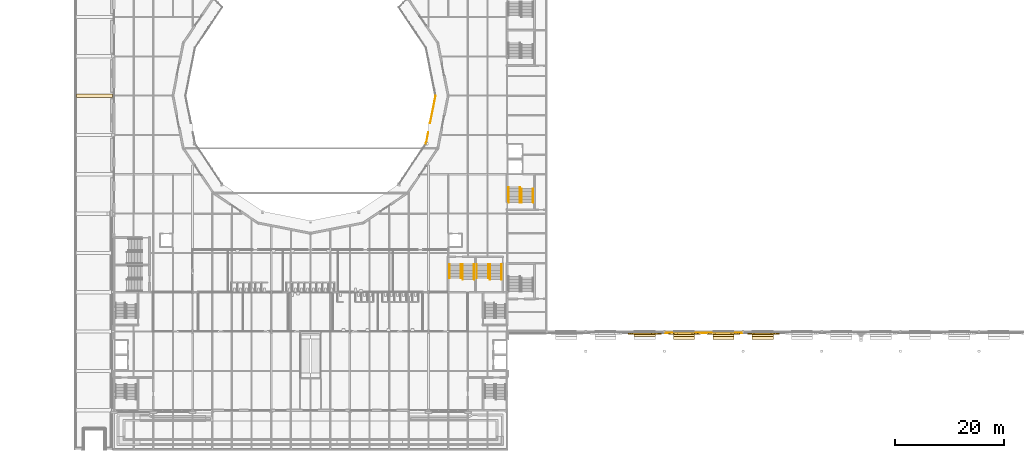
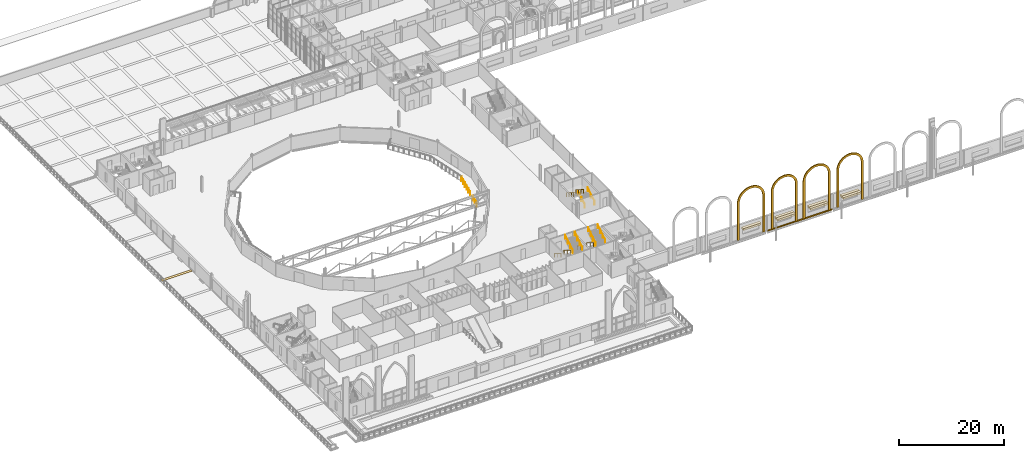
# One storey, part 109 of 143: 14 railings, 13 coverings.
"""IFC4 building model written with IfcOpenShell, lengths in metres."""

from ifc_helpers import new_model, si_unit, direction, frame, origin, origin_2d, place, context, subcontext, project, spatial, polyline, rectangle, circle, outline, extrude, material, layer, layer_set, type_object, element, save


model = new_model("IFC4")

# Units and contexts
model_context = context("Model", 3, precision=1e-05, world=origin(), true_north=direction((0.0, 1.0)))
body_context = subcontext(model_context, "Body", "Model", "MODEL_VIEW")
ifc_project = project(units=[si_unit("LENGTHUNIT", "METRE"), si_unit("AREAUNIT", "SQUARE_METRE"), si_unit("VOLUMEUNIT", "CUBIC_METRE"), si_unit("PLANEANGLEUNIT", "RADIAN"), si_unit("MASSUNIT", "GRAM", prefix="KILO")], contexts=[model_context])

# Site, building, storey
site_placement = place(None, origin())
site = spatial("IfcSite", under=ifc_project, at=site_placement, CompositionType="ELEMENT")
building_placement = place(site_placement, origin())
building = spatial("IfcBuilding", under=site, at=building_placement, Name="Kupolbacken Congress Centre", CompositionType="ELEMENT")
storey_placement = place(building_placement, frame((0.0, 0.0, 7.199951171875)))
storey = spatial("IfcBuildingStorey", under=building, at=storey_placement, Name="L02", CompositionType="ELEMENT", Elevation=7.199951171875)

# Coverings
ifc_material_1 = material(Name="Brick cladding", Category="masonry")
ifc_layer_1 = layer(ifc_material_1, 0.10791015625)
ifc_layer_set_1 = layer_set([ifc_layer_1], Name="Brick cladding")
covering_type_1 = type_object("IfcCoveringType", Name="CV2 brick cladding band 108", PredefinedType="CLADDING", material=ifc_layer_set_1)
covering_1_placement = place(storey_placement, frame((115.199951171875, 42.93603515625, 0.0), z_axis=(0.0, 0.0, 1.0), x_axis=(1.0, 0.0, 0.0)))
element("IfcCovering", 1, at=covering_1_placement, inside=storey, type_object=covering_type_1, Name="E/H/S/L02/267/band", PredefinedType="CLADDING", context=body_context, shape_type="SweptSolid", body=[
    extrude(rectangle(XDim=14.10009765625, YDim=0.10791015625, at=origin_2d()), origin(), (0.0, 0.0, 1.0), 0.300048828125),
])
ifc_material_2 = material(Name="Limestone cladding", Category="masonry")
ifc_layer_2 = layer(ifc_material_2, 0.60009765625)
ifc_layer_set_2 = layer_set([ifc_layer_2], Name="Limestone cladding")
covering_type_2 = type_object("IfcCoveringType", Name="CV5 limestone arcade pier 600", PredefinedType="CLADDING", material=ifc_layer_set_2)
for number, where, z_axis, x_axis, name in (
    (2, (104.39990234375, 42.6650390625, 2.5), (0.0, 0.0, 1.0), (1.0, 0.0, 0.0), "F/HR/H/S/fin/02/0/a"),
    (3, (111.60009765625, 42.6650390625, 2.5), (0.0, 0.0, 1.0), (1.0, 0.0, 0.0), "F/HR/H/S/fin/03/0/a"),
):
    element("IfcCovering", number, at=place(storey_placement, frame(where, z_axis=z_axis, x_axis=x_axis)), inside=storey, type_object=covering_type_2, Name=name, PredefinedType="CLADDING", context=body_context, shape_type="SweptSolid", body=[
        extrude(rectangle(XDim=3.89990234375, YDim=0.64990234375, at=origin_2d()), origin(), (0.0, 0.0, 1.0), 0.449951171875),
    ])
covering_2_placement = place(storey_placement, frame((111.60009765625, 42.0400390625, 2.5), z_axis=(0.0, 0.0, 1.0), x_axis=(1.0, 0.0, 0.0)))
element("IfcCovering", 4, at=covering_2_placement, inside=storey, type_object=covering_type_2, Name="F/HR/H/S/fin/03/0/b", PredefinedType="CLADDING", context=body_context, shape_type="SweptSolid", body=[
    extrude(rectangle(XDim=3.89990234375, YDim=0.60009765625, at=origin_2d()), origin(), (0.0, 0.0, 1.0), 0.449951171875),
])
covering_3_placement = place(storey_placement, frame((118.800048828125, 42.6650390625, 2.5), z_axis=(0.0, 0.0, 1.0), x_axis=(1.0, 0.0, 0.0)))
element("IfcCovering", 5, at=covering_3_placement, inside=storey, type_object=covering_type_2, Name="F/HR/H/S/fin/04/0/a", PredefinedType="CLADDING", context=body_context, shape_type="SweptSolid", body=[
    extrude(rectangle(XDim=3.89990234375, YDim=0.64990234375, at=origin_2d()), origin(), (0.0, 0.0, 1.0), 0.449951171875),
])
covering_4_placement = place(storey_placement, frame((118.800048828125, 42.0400390625, 2.5), z_axis=(0.0, 0.0, 1.0), x_axis=(1.0, 0.0, 0.0)))
element("IfcCovering", 6, at=covering_4_placement, inside=storey, type_object=covering_type_2, Name="F/HR/H/S/fin/04/0/b", PredefinedType="CLADDING", context=body_context, shape_type="SweptSolid", body=[
    extrude(rectangle(XDim=3.89990234375, YDim=0.60009765625, at=origin_2d()), origin(), (0.0, 0.0, 1.0), 0.449951171875),
])
covering_5_placement = place(storey_placement, frame((126.0, 42.6650390625, 2.5), z_axis=(0.0, 0.0, 1.0), x_axis=(1.0, 0.0, 0.0)))
element("IfcCovering", 7, at=covering_5_placement, inside=storey, type_object=covering_type_2, Name="F/HR/H/S/fin/05/0/a", PredefinedType="CLADDING", context=body_context, shape_type="SweptSolid", body=[
    extrude(rectangle(XDim=3.89990234375, YDim=0.64990234375, at=origin_2d()), origin(), (0.0, 0.0, 1.0), 0.449951171875),
])
covering_6_placement = place(storey_placement, frame((126.0, 42.0400390625, 2.5), z_axis=(0.0, 0.0, 1.0), x_axis=(1.0, 0.0, 0.0)))
element("IfcCovering", 8, at=covering_6_placement, inside=storey, type_object=covering_type_2, Name="F/HR/H/S/fin/05/0/b", PredefinedType="CLADDING", context=body_context, shape_type="SweptSolid", body=[
    extrude(rectangle(XDim=3.89990234375, YDim=0.60009765625, at=origin_2d()), origin(), (0.0, 0.0, 1.0), 0.449951171875),
])
ifc_material_3 = material(Name="Limestone cladding", Category="masonry")
ifc_layer_3 = layer(ifc_material_3, 0.199951171875)
ifc_layer_set_3 = layer_set([ifc_layer_3], Name="Limestone cladding")
covering_type_3 = type_object("IfcCoveringType", Name="CV9 limestone drum arch frame 200", PredefinedType="CLADDING", material=ifc_layer_set_3)
covering_7_placement = place(storey_placement, frame((101.39990234375, 42.93994140625, 0.300048828125), z_axis=(0.0, -1.0, 0.0), x_axis=(1.0, 0.0, 0.0)))
element("IfcCovering", 9, at=covering_7_placement, inside=storey, type_object=covering_type_3, Name="F/HR/H/S/frame/02", PredefinedType="CLADDING", context=body_context, shape_type="SweptSolid", body=[
    extrude(outline(polyline([(0.0, 0.0), (0.0, 8.550048828125), (0.018798828125, 8.885986328125), (0.0751953125, 9.217529296875), (0.16845703125, 9.540771484375), (0.297119140625, 9.851806640625), (0.459716796875, 10.14599609375), (0.654541015625, 10.42041015625), (0.878662109375, 10.67138671875), (1.12939453125, 10.8955078125), (1.40380859375, 11.090087890625), (1.6982421875, 11.2529296875), (2.00927734375, 11.381591796875), (2.33251953125, 11.474853515625), (2.6640625, 11.531005859375), (3.0, 11.550048828125), (3.3359375, 11.531005859375), (3.66748046875, 11.474853515625), (3.99072265625, 11.381591796875), (4.3017578125, 11.2529296875), (4.59619140625, 11.090087890625), (4.87060546875, 10.8955078125), (5.121337890625, 10.67138671875), (5.345458984375, 10.42041015625), (5.540283203125, 10.14599609375), (5.702880859375, 9.851806640625), (5.83154296875, 9.540771484375), (5.9248046875, 9.217529296875), (5.981201171875, 8.885986328125), (6.0, 8.550048828125), (6.0, 0.0), (5.550048828125, 0.0), (5.550048828125, 8.550048828125), (5.533935546875, 8.83544921875), (5.486083984375, 9.117431640625), (5.406982421875, 9.39208984375), (5.297607421875, 9.656494140625), (5.1591796875, 9.90673828125), (4.99365234375, 10.139892578125), (4.802978515625, 10.35302734375), (4.58984375, 10.543701171875), (4.356689453125, 10.708984375), (4.1064453125, 10.847412109375), (3.84228515625, 10.956787109375), (3.5673828125, 11.0361328125), (3.285400390625, 11.083984375), (3.0, 11.10009765625), (2.714599609375, 11.083984375), (2.4326171875, 11.0361328125), (2.15771484375, 10.956787109375), (1.8935546875, 10.847412109375), (1.643310546875, 10.708984375), (1.41015625, 10.543701171875), (1.197021484375, 10.35302734375), (1.00634765625, 10.139892578125), (0.8408203125, 9.90673828125), (0.702392578125, 9.656494140625), (0.593017578125, 9.39208984375), (0.513916015625, 9.117431640625), (0.466064453125, 8.83544921875), (0.449951171875, 8.550048828125), (0.449951171875, 0.0), (0.0, 0.0)])), origin(), (0.0, 0.0, 1.0), 0.199951171875),
])
covering_8_placement = place(storey_placement, frame((108.820068359375, 42.93994140625, 0.300048828125), z_axis=(0.0, -1.0, 0.0), x_axis=(1.0, 0.0, 0.0)))
element("IfcCovering", 10, at=covering_8_placement, inside=storey, type_object=covering_type_3, Name="F/HR/H/S/frame/03", PredefinedType="CLADDING", context=body_context, shape_type="SweptSolid", body=[
    extrude(outline(polyline([(0.0, 0.0), (0.0, 8.659912109375), (0.018310546875, 8.983642578125), (0.072509765625, 9.302978515625), (0.162109375, 9.614501953125), (0.2861328125, 9.913818359375), (0.443115234375, 10.197509765625), (0.630615234375, 10.4619140625), (0.846435546875, 10.70361328125), (1.088134765625, 10.91943359375), (1.352294921875, 11.10693359375), (1.635986328125, 11.263916015625), (1.935546875, 11.3876953125), (2.246826171875, 11.4775390625), (2.56640625, 11.53173828125), (2.889892578125, 11.550048828125), (3.213623046875, 11.53173828125), (3.533203125, 11.4775390625), (3.844482421875, 11.3876953125), (4.143798828125, 11.263916015625), (4.427490234375, 11.10693359375), (4.69189453125, 10.91943359375), (4.93359375, 10.70361328125), (5.1494140625, 10.4619140625), (5.3369140625, 10.197509765625), (5.493896484375, 9.913818359375), (5.617919921875, 9.614501953125), (5.70751953125, 9.302978515625), (5.76171875, 8.983642578125), (5.780029296875, 8.659912109375), (5.780029296875, 0.0), (5.330078125, 0.0), (5.330078125, 8.659912109375), (5.314697265625, 8.93310546875), (5.268798828125, 9.202880859375), (5.193115234375, 9.4658203125), (5.08837890625, 9.71875), (4.9560546875, 9.958251953125), (4.797607421875, 10.181396484375), (4.615234375, 10.38525390625), (4.411376953125, 10.567626953125), (4.188232421875, 10.72607421875), (3.94873046875, 10.8583984375), (3.69580078125, 10.963134765625), (3.43310546875, 11.038818359375), (3.1630859375, 11.084716796875), (2.889892578125, 11.10009765625), (2.61669921875, 11.084716796875), (2.346923828125, 11.038818359375), (2.083984375, 10.963134765625), (1.831298828125, 10.8583984375), (1.591796875, 10.72607421875), (1.36865234375, 10.567626953125), (1.164794921875, 10.38525390625), (0.982421875, 10.181396484375), (0.823974609375, 9.958251953125), (0.691650390625, 9.71875), (0.5869140625, 9.4658203125), (0.51123046875, 9.202880859375), (0.46533203125, 8.93310546875), (0.449951171875, 8.659912109375), (0.449951171875, 0.0), (0.0, 0.0)])), origin(), (0.0, 0.0, 1.0), 0.199951171875),
])
covering_9_placement = place(storey_placement, frame((115.800048828125, 42.93994140625, 0.300048828125), z_axis=(0.0, -1.0, 0.0), x_axis=(1.0, 0.0, 0.0)))
element("IfcCovering", 11, at=covering_9_placement, inside=storey, type_object=covering_type_3, Name="F/HR/H/S/frame/04", PredefinedType="CLADDING", context=body_context, shape_type="SweptSolid", body=[
    extrude(outline(polyline([(0.0, 0.0), (0.0, 8.550048828125), (0.018798828125, 8.885986328125), (0.0751953125, 9.217529296875), (0.16845703125, 9.540771484375), (0.297119140625, 9.851806640625), (0.459716796875, 10.14599609375), (0.654541015625, 10.42041015625), (0.878662109375, 10.67138671875), (1.12939453125, 10.8955078125), (1.40380859375, 11.090087890625), (1.6982421875, 11.2529296875), (2.00927734375, 11.381591796875), (2.33251953125, 11.474853515625), (2.6640625, 11.531005859375), (3.0, 11.550048828125), (3.3359375, 11.531005859375), (3.66748046875, 11.474853515625), (3.99072265625, 11.381591796875), (4.3017578125, 11.2529296875), (4.59619140625, 11.090087890625), (4.87060546875, 10.8955078125), (5.121337890625, 10.67138671875), (5.345458984375, 10.42041015625), (5.540283203125, 10.14599609375), (5.702880859375, 9.851806640625), (5.83154296875, 9.540771484375), (5.9248046875, 9.217529296875), (5.981201171875, 8.885986328125), (6.0, 8.550048828125), (6.0, 0.0), (5.550048828125, 0.0), (5.550048828125, 8.550048828125), (5.533935546875, 8.83544921875), (5.486083984375, 9.117431640625), (5.406982421875, 9.39208984375), (5.297607421875, 9.656494140625), (5.1591796875, 9.90673828125), (4.99365234375, 10.139892578125), (4.802978515625, 10.35302734375), (4.58984375, 10.543701171875), (4.356689453125, 10.708984375), (4.1064453125, 10.847412109375), (3.84228515625, 10.956787109375), (3.5673828125, 11.0361328125), (3.285400390625, 11.083984375), (3.0, 11.10009765625), (2.714599609375, 11.083984375), (2.4326171875, 11.0361328125), (2.15771484375, 10.956787109375), (1.8935546875, 10.847412109375), (1.643310546875, 10.708984375), (1.41015625, 10.543701171875), (1.197021484375, 10.35302734375), (1.00634765625, 10.139892578125), (0.8408203125, 9.90673828125), (0.702392578125, 9.656494140625), (0.593017578125, 9.39208984375), (0.513916015625, 9.117431640625), (0.466064453125, 8.83544921875), (0.449951171875, 8.550048828125), (0.449951171875, 0.0), (0.0, 0.0)])), origin(), (0.0, 0.0, 1.0), 0.199951171875),
])
covering_10_placement = place(storey_placement, frame((123.219970703125, 42.93994140625, 0.300048828125), z_axis=(0.0, -1.0, 0.0), x_axis=(1.0, 0.0, 0.0)))
element("IfcCovering", 12, at=covering_10_placement, inside=storey, type_object=covering_type_3, Name="F/HR/H/S/frame/05", PredefinedType="CLADDING", context=body_context, shape_type="SweptSolid", body=[
    extrude(outline(polyline([(0.0, 0.0), (0.0, 8.659912109375), (0.018310546875, 8.983642578125), (0.072509765625, 9.302978515625), (0.162109375, 9.614501953125), (0.2861328125, 9.913818359375), (0.443115234375, 10.197509765625), (0.630615234375, 10.4619140625), (0.846435546875, 10.70361328125), (1.088134765625, 10.91943359375), (1.352294921875, 11.10693359375), (1.635986328125, 11.263916015625), (1.935546875, 11.3876953125), (2.246826171875, 11.4775390625), (2.56640625, 11.53173828125), (2.889892578125, 11.550048828125), (3.213623046875, 11.53173828125), (3.533203125, 11.4775390625), (3.844482421875, 11.3876953125), (4.143798828125, 11.263916015625), (4.427490234375, 11.10693359375), (4.69189453125, 10.91943359375), (4.93359375, 10.70361328125), (5.1494140625, 10.4619140625), (5.3369140625, 10.197509765625), (5.493896484375, 9.913818359375), (5.617919921875, 9.614501953125), (5.70751953125, 9.302978515625), (5.76171875, 8.983642578125), (5.780029296875, 8.659912109375), (5.780029296875, 0.0), (5.330078125, 0.0), (5.330078125, 8.659912109375), (5.314697265625, 8.93310546875), (5.268798828125, 9.202880859375), (5.193115234375, 9.4658203125), (5.08837890625, 9.71875), (4.9560546875, 9.958251953125), (4.797607421875, 10.181396484375), (4.615234375, 10.38525390625), (4.411376953125, 10.567626953125), (4.188232421875, 10.72607421875), (3.94873046875, 10.8583984375), (3.69580078125, 10.963134765625), (3.43310546875, 11.038818359375), (3.1630859375, 11.084716796875), (2.889892578125, 11.10009765625), (2.61669921875, 11.084716796875), (2.346923828125, 11.038818359375), (2.083984375, 10.963134765625), (1.831298828125, 10.8583984375), (1.591796875, 10.72607421875), (1.36865234375, 10.567626953125), (1.164794921875, 10.38525390625), (0.982421875, 10.181396484375), (0.823974609375, 9.958251953125), (0.691650390625, 9.71875), (0.5869140625, 9.4658203125), (0.51123046875, 9.202880859375), (0.46533203125, 8.93310546875), (0.449951171875, 8.659912109375), (0.449951171875, 0.0), (0.0, 0.0)])), origin(), (0.0, 0.0, 1.0), 0.199951171875),
])
ifc_material_4 = material(Name="Limestone cladding", Category="masonry")
ifc_layer_4 = layer(ifc_material_4, 0.02001953125)
ifc_layer_set_4 = layer_set([ifc_layer_4], Name="Limestone cladding")
covering_type_4 = type_object("IfcCoveringType", Name="GF1 limestone paving 20", PredefinedType="FLOORING", material=ifc_layer_set_4)
covering_11_placement = place(storey_placement, origin())
element("IfcCovering", 13, at=covering_11_placement, inside=storey, type_object=covering_type_4, Name="West paving band", PredefinedType="FLOORING", context=body_context, shape_type="SweptSolid", body=[
    extrude(outline(polyline([(0.301025390625, 86.10009765625), (0.301025390625, 86.699951171875), (6.923095703125, 86.699951171875), (6.923095703125, 86.10009765625), (0.301025390625, 86.10009765625)])), origin(), (0.0, 0.0, 1.0), 0.02001953125),
])

# Railings
ifc_material_5 = material(Name="Steel S235", Category="steel")
railing_type_1 = type_object("IfcRailingType", Name="RL1 guard 1100 steel balustrade", PredefinedType="GUARDRAIL", material=ifc_material_5)
railing_1_placement = place(storey_placement, frame((64.352783203125, 77.63818359375, 0.0)))
element("IfcRailing", 14, at=railing_1_placement, inside=storey, type_object=railing_type_1, Name="PD/L02/ringguard/3375/1", PredefinedType="GUARDRAIL", context=body_context, shape_type="SweptSolid", body=[
    extrude(circle(Radius=0.02392578125, at=origin_2d()), frame((0.0, 0.0, 1.076171875), z_axis=(0.195158291475, 0.980771757989, 0.0), x_axis=(-0.980771757989, 0.195158291475, 0.0)), (0.0, 0.0, 1.0), 2.10791015625),
    extrude(circle(Radius=0.02099609375, at=origin_2d()), origin(), (0.0, 0.0, 1.0), 1.052001953125),
    extrude(circle(Radius=0.02099609375, at=origin_2d()), frame((0.20556640625, 1.03369140625, 0.0)), (0.0, 0.0, 1.0), 1.052001953125),
    extrude(circle(Radius=0.02099609375, at=origin_2d()), frame((0.411376953125, 2.0673828125, 0.0)), (0.0, 0.0, 1.0), 1.052001953125),
])
railing_2_placement = place(storey_placement, frame((65.096923828125, 81.379150390625, 0.0)))
element("IfcRailing", 15, at=railing_2_placement, inside=storey, type_object=railing_type_1, Name="PD/L02/ringguard/3375/2", PredefinedType="GUARDRAIL", context=body_context, shape_type="SweptSolid", body=[
    extrude(circle(Radius=0.02392578125, at=origin_2d()), frame((0.0, 0.0, 1.076171875), z_axis=(0.195107166277, 0.980781929721, 0.0), x_axis=(-0.980781929721, 0.195107166277, 0.0)), (0.0, 0.0, 1.0), 5.119140625),
    extrude(circle(Radius=0.02099609375, at=origin_2d()), origin(), (0.0, 0.0, 1.0), 1.052001953125),
    extrude(circle(Radius=0.02099609375, at=origin_2d()), frame((0.19970703125, 1.004150390625, 0.0)), (0.0, 0.0, 1.0), 1.052001953125),
    extrude(circle(Radius=0.02099609375, at=origin_2d()), frame((0.3994140625, 2.00830078125, 0.0)), (0.0, 0.0, 1.0), 1.052001953125),
    extrude(circle(Radius=0.02099609375, at=origin_2d()), frame((0.599365234375, 3.012451171875, 0.0)), (0.0, 0.0, 1.0), 1.052001953125),
    extrude(circle(Radius=0.02099609375, at=origin_2d()), frame((0.799072265625, 4.0166015625, 0.0)), (0.0, 0.0, 1.0), 1.052001953125),
    extrude(circle(Radius=0.02099609375, at=origin_2d()), frame((0.998779296875, 5.020751953125, 0.0)), (0.0, 0.0, 1.0), 1.052001953125),
])
ifc_material_6 = material(Name="Steel S235", Category="steel")
railing_type_2 = type_object("IfcRailingType", Name="RL3 handrail wall-mounted 900", PredefinedType="HANDRAIL", material=ifc_material_6)
for number, where, name in (
    (16, (70.75, 55.544921875, 0.17138671875), "C/stair/PS1SE/L02/HR1L"),
    (17, (68.64990234375, 55.544921875, 0.17138671875), "C/stair/PS1SE/L02/HR1R"),
):
    element("IfcRailing", number, at=place(storey_placement, frame(where)), inside=storey, type_object=railing_type_2, Name=name, PredefinedType="HANDRAIL", context=body_context, shape_type="SweptSolid", body=[
        extrude(circle(Radius=0.02392578125, at=origin_2d()), frame((0.0, 0.0, 0.8759765625), z_axis=(0.0, -0.852836285881, 0.522178388565), x_axis=(1.0, 0.0, 0.0)), (0.0, 0.0, 1.0), 2.954833984375),
        extrude(circle(Radius=0.02099609375, at=origin_2d()), origin(), (0.0, 0.0, 1.0), 0.851806640625),
        extrude(circle(Radius=0.02099609375, at=origin_2d()), frame((0.0, -1.260009765625, 0.771484375)), (0.0, 0.0, 1.0), 0.851806640625),
        extrude(circle(Radius=0.02099609375, at=origin_2d()), frame((0.0, -2.52001953125, 1.54296875)), (0.0, 0.0, 1.0), 0.851806640625),
    ])
for number, where, name in (
    (18, (71.050048828125, 52.7451171875, 1.8857421875), "C/stair/PS1SE/L02/HR2L"),
    (19, (73.14990234375, 52.7451171875, 1.8857421875), "C/stair/PS1SE/L02/HR2R"),
):
    element("IfcRailing", number, at=place(storey_placement, frame(where)), inside=storey, type_object=railing_type_2, Name=name, PredefinedType="HANDRAIL", context=body_context, shape_type="SweptSolid", body=[
        extrude(circle(Radius=0.02392578125, at=origin_2d()), frame((0.0, 0.0, 0.8759765625), z_axis=(0.0, 0.852825620865, 0.522195806567), x_axis=(-1.0, 0.0, 0.0)), (0.0, 0.0, 1.0), 3.282958984375),
        extrude(circle(Radius=0.02099609375, at=origin_2d()), origin(), (0.0, 0.0, 1.0), 0.851806640625),
        extrude(circle(Radius=0.02099609375, at=origin_2d()), frame((0.0, 0.933349609375, 0.571533203125)), (0.0, 0.0, 1.0), 0.851806640625),
        extrude(circle(Radius=0.02099609375, at=origin_2d()), frame((0.0, 1.866455078125, 1.142822265625)), (0.0, 0.0, 1.0), 0.851806640625),
        extrude(circle(Radius=0.02099609375, at=origin_2d()), frame((0.0, 2.7998046875, 1.71435546875)), (0.0, 0.0, 1.0), 0.851806640625),
    ])
for number, where, name in (
    (20, (75.75, 55.544921875, 0.17138671875), "C/stair/PS2SE/L02/HR1L"),
    (21, (73.64990234375, 55.544921875, 0.17138671875), "C/stair/PS2SE/L02/HR1R"),
):
    element("IfcRailing", number, at=place(storey_placement, frame(where)), inside=storey, type_object=railing_type_2, Name=name, PredefinedType="HANDRAIL", context=body_context, shape_type="SweptSolid", body=[
        extrude(circle(Radius=0.02392578125, at=origin_2d()), frame((0.0, 0.0, 0.8759765625), z_axis=(0.0, -0.852836285881, 0.522178388565), x_axis=(1.0, 0.0, 0.0)), (0.0, 0.0, 1.0), 2.954833984375),
        extrude(circle(Radius=0.02099609375, at=origin_2d()), origin(), (0.0, 0.0, 1.0), 0.851806640625),
        extrude(circle(Radius=0.02099609375, at=origin_2d()), frame((0.0, -1.260009765625, 0.771484375)), (0.0, 0.0, 1.0), 0.851806640625),
        extrude(circle(Radius=0.02099609375, at=origin_2d()), frame((0.0, -2.52001953125, 1.54296875)), (0.0, 0.0, 1.0), 0.851806640625),
    ])
for number, where, name in (
    (22, (76.050048828125, 52.7451171875, 1.8857421875), "C/stair/PS2SE/L02/HR2L"),
    (23, (78.14990234375, 52.7451171875, 1.8857421875), "C/stair/PS2SE/L02/HR2R"),
):
    element("IfcRailing", number, at=place(storey_placement, frame(where)), inside=storey, type_object=railing_type_2, Name=name, PredefinedType="HANDRAIL", context=body_context, shape_type="SweptSolid", body=[
        extrude(circle(Radius=0.02392578125, at=origin_2d()), frame((0.0, 0.0, 0.8759765625), z_axis=(0.0, 0.852825620865, 0.522195806567), x_axis=(-1.0, 0.0, 0.0)), (0.0, 0.0, 1.0), 3.282958984375),
        extrude(circle(Radius=0.02099609375, at=origin_2d()), origin(), (0.0, 0.0, 1.0), 0.851806640625),
        extrude(circle(Radius=0.02099609375, at=origin_2d()), frame((0.0, 0.933349609375, 0.571533203125)), (0.0, 0.0, 1.0), 0.851806640625),
        extrude(circle(Radius=0.02099609375, at=origin_2d()), frame((0.0, 1.866455078125, 1.142822265625)), (0.0, 0.0, 1.0), 0.851806640625),
        extrude(circle(Radius=0.02099609375, at=origin_2d()), frame((0.0, 2.7998046875, 1.71435546875)), (0.0, 0.0, 1.0), 0.851806640625),
    ])
for number, where, name in (
    (24, (81.85009765625, 66.85498046875, 0.17138671875), "C/stair/LS3/L02/HR1L"),
    (25, (83.949951171875, 66.85498046875, 0.17138671875), "C/stair/LS3/L02/HR1R"),
):
    element("IfcRailing", number, at=place(storey_placement, frame(where)), inside=storey, type_object=railing_type_2, Name=name, PredefinedType="HANDRAIL", context=body_context, shape_type="SweptSolid", body=[
        extrude(circle(Radius=0.02392578125, at=origin_2d()), frame((0.0, 0.0, 0.8759765625), z_axis=(0.0, 0.852836285881, 0.522178388565), x_axis=(-1.0, 0.0, 0.0)), (0.0, 0.0, 1.0), 2.954833984375),
        extrude(circle(Radius=0.02099609375, at=origin_2d()), origin(), (0.0, 0.0, 1.0), 0.851806640625),
        extrude(circle(Radius=0.02099609375, at=origin_2d()), frame((0.0, 1.260009765625, 0.771484375)), (0.0, 0.0, 1.0), 0.851806640625),
        extrude(circle(Radius=0.02099609375, at=origin_2d()), frame((0.0, 2.52001953125, 1.54296875)), (0.0, 0.0, 1.0), 0.851806640625),
    ])
for number, where, name in (
    (26, (81.550048828125, 69.655029296875, 1.8857421875), "C/stair/LS3/L02/HR2L"),
    (27, (79.449951171875, 69.655029296875, 1.8857421875), "C/stair/LS3/L02/HR2R"),
):
    element("IfcRailing", number, at=place(storey_placement, frame(where)), inside=storey, type_object=railing_type_2, Name=name, PredefinedType="HANDRAIL", context=body_context, shape_type="SweptSolid", body=[
        extrude(circle(Radius=0.02392578125, at=origin_2d()), frame((0.0, 0.0, 0.8759765625), z_axis=(0.0, -0.852845897599, 0.522162690116), x_axis=(1.0, 0.0, 0.0)), (0.0, 0.0, 1.0), 3.283203125),
        extrude(circle(Radius=0.02099609375, at=origin_2d()), origin(), (0.0, 0.0, 1.0), 0.851806640625),
        extrude(circle(Radius=0.02099609375, at=origin_2d()), frame((0.0, -0.933349609375, 0.571533203125)), (0.0, 0.0, 1.0), 0.851806640625),
        extrude(circle(Radius=0.02099609375, at=origin_2d()), frame((0.0, -1.86669921875, 1.142822265625)), (0.0, 0.0, 1.0), 0.851806640625),
        extrude(circle(Radius=0.02099609375, at=origin_2d()), frame((0.0, -2.800048828125, 1.71435546875)), (0.0, 0.0, 1.0), 0.851806640625),
    ])

save(model, "model.ifc")
